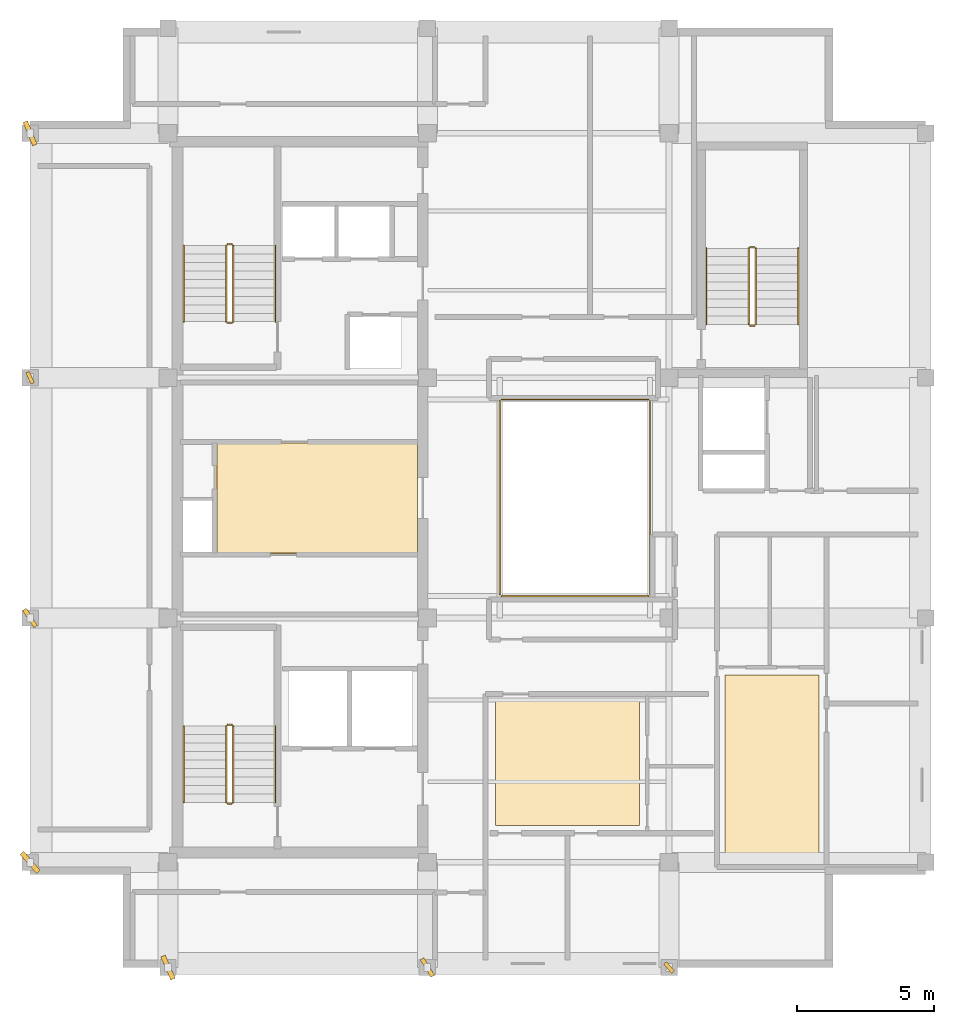
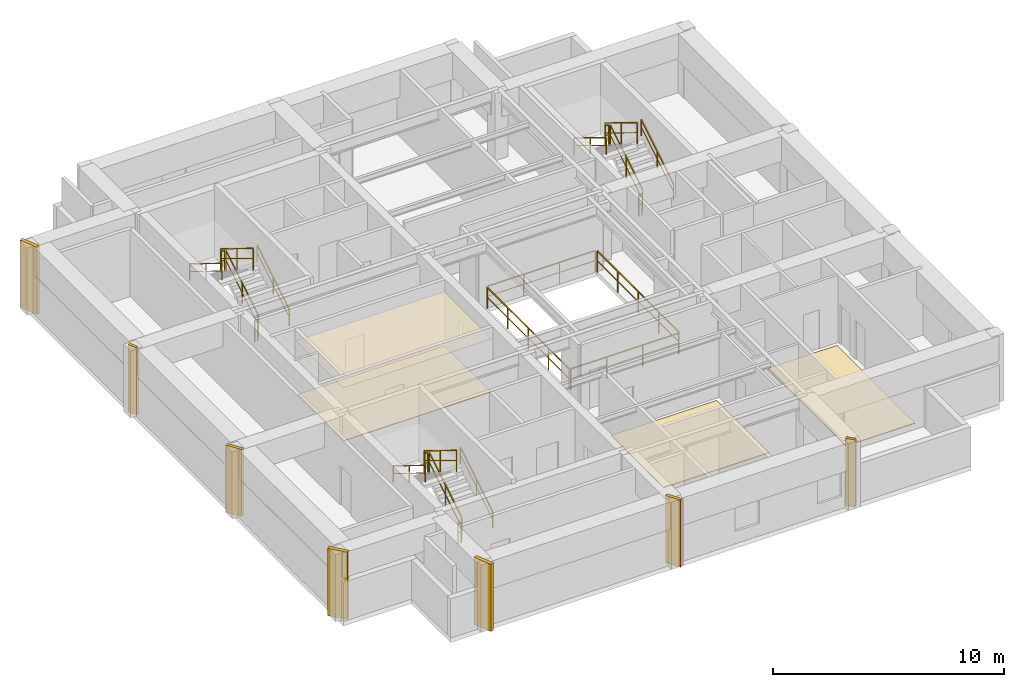
# One storey, part 6 of 6: 22 railings, 7 shading devices, 4 coverings.
"""IFC4 building model written with IfcOpenShell, lengths in metres."""

from ifc_helpers import new_model, si_unit, direction, frame, origin, origin_2d, place, context, subcontext, project, spatial, polyline, rectangle, outline, extrude, material, layer, layer_set, type_object, element, save


model = new_model("IFC4")

# Units and contexts
model_context = context("Model", 3, precision=1e-05, world=origin(), true_north=direction((0.0, 1.0)))
body_context = subcontext(model_context, "Body", "Model", "MODEL_VIEW")
ifc_project = project(units=[si_unit("LENGTHUNIT", "METRE"), si_unit("AREAUNIT", "SQUARE_METRE"), si_unit("VOLUMEUNIT", "CUBIC_METRE"), si_unit("PLANEANGLEUNIT", "RADIAN"), si_unit("MASSUNIT", "GRAM", prefix="KILO")], contexts=[model_context])

# Site, building, storey
site_placement = place(None, origin())
site = spatial("IfcSite", under=ifc_project, at=site_placement, CompositionType="ELEMENT")
building_placement = place(site_placement, origin())
building = spatial("IfcBuilding", under=site, at=building_placement, Name="Kundavana Baori Tower", CompositionType="ELEMENT")
storey_placement = place(building_placement, frame((0.0, 0.0, 339.10009765625)))
storey = spatial("IfcBuildingStorey", under=building, at=storey_placement, Name="L84", CompositionType="ELEMENT", Elevation=339.10009765625)

# Coverings
ifc_material_1 = material(Name="Honed Kota Stone and Terrazzo Flooring", Category="masonry")
ifc_layer_1 = layer(ifc_material_1, 0.0400390625, Name="COV-FLR-TERR-40")
ifc_layer_set_1 = layer_set([ifc_layer_1], Name="Honed Kota Stone and Terrazzo Flooring")
covering_type_1 = type_object("IfcCoveringType", Name="COV-FLR-TERR-40", PredefinedType="FLOORING", material=ifc_layer_set_1)
covering_1_placement = place(storey_placement, origin())
element("IfcCovering", 1, at=covering_1_placement, inside=storey, type_object=covering_type_1, Name="L84 Room Finished Stone Flooring 2", PredefinedType="FLOORING", context=body_context, shape_type="SweptSolid", body=[
    extrude(outline(polyline([(35.840087890625, 15.360107421875), (39.2900390625, 15.360107421875), (39.2900390625, 22.1201171875), (35.840087890625, 22.1201171875), (35.840087890625, 15.360107421875)])), origin(), (0.0, 0.0, 1.0), 0.039794921875),
])
ifc_material_2 = material(Name="Perforated Acoustic Mineral Fibre Ceiling Board")
ifc_layer_2 = layer(ifc_material_2, 0.02490234375, Name="COV-INT-CEIL")
ifc_layer_set_2 = layer_set([ifc_layer_2], Name="Perforated Acoustic Mineral Fibre Ceiling Board")
covering_type_2 = type_object("IfcCoveringType", Name="COV-INT-CEIL", PredefinedType="CEILING", material=ifc_layer_set_2)
covering_2_placement = place(storey_placement, frame((0.0, 0.0, 2.849853515625)))
element("IfcCovering", 2, at=covering_2_placement, inside=storey, type_object=covering_type_2, Name="L84 Core Lift Lobby Acoustic Ceiling", PredefinedType="CEILING", context=body_context, shape_type="SweptSolid", body=[
    extrude(outline(polyline([(17.159912109375, 26.52001953125), (24.580078125, 26.52001953125), (24.580078125, 30.639892578125), (17.159912109375, 30.639892578125), (17.159912109375, 26.52001953125)])), origin(), (0.0, 0.0, 1.0), 0.025146484375),
])
ifc_material_3 = material(Name="Honed Kota Stone and Terrazzo Flooring", Category="masonry")
ifc_layer_3 = layer(ifc_material_3, 0.030029296875, Name="COV-INT-FLR")
ifc_layer_set_3 = layer_set([ifc_layer_3], Name="Honed Kota Stone and Terrazzo Flooring")
covering_type_3 = type_object("IfcCoveringType", Name="COV-INT-FLR", PredefinedType="FLOORING", material=ifc_layer_set_3)
covering_3_placement = place(storey_placement, origin())
element("IfcCovering", 3, at=covering_3_placement, inside=storey, type_object=covering_type_3, Name="L84 Room Finished Stone Flooring 1", PredefinedType="FLOORING", context=body_context, shape_type="SweptSolid", body=[
    extrude(outline(polyline([(27.43994140625, 16.60009765625), (32.719970703125, 16.60009765625), (32.719970703125, 21.139892578125), (27.43994140625, 21.139892578125), (27.43994140625, 16.60009765625)])), origin(), (0.0, 0.0, 1.0), 0.02978515625),
])
covering_4_placement = place(storey_placement, origin())
element("IfcCovering", 4, at=covering_4_placement, inside=storey, type_object=covering_type_3, Name="L84 Core Lift Lobby Kota Stone Flooring", PredefinedType="FLOORING", context=body_context, shape_type="SweptSolid", body=[
    extrude(outline(polyline([(17.25, 26.580078125), (24.580078125, 26.580078125), (24.580078125, 30.60009765625), (17.25, 30.60009765625), (17.25, 26.580078125)])), origin(), (0.0, 0.0, 1.0), 0.02978515625),
])

# Railings
ifc_material_4 = material(Name="Architectural Patinated Bronze Metalwork")
railing_type_1 = type_object("IfcRailingType", Name="RL-GRD-1150", PredefinedType="GUARDRAIL", material=ifc_material_4)
railing_1_placement = place(storey_placement, frame((17.840087890625, 17.449951171875, 0.18994140625)))
element("IfcRailing", 5, at=railing_1_placement, inside=storey, type_object=railing_type_1, Name="L84 ST1 stair guard 1", PredefinedType="GUARDRAIL", context=body_context, shape_type="SweptSolid", body=[
    extrude(rectangle(XDim=0.048095703125, YDim=0.048095703125, at=origin_2d()), frame((0.0, 0.0, 1.1259765625), z_axis=(0.0, 0.852609830418, 0.522548061975), x_axis=(-1.0, 0.0, 0.0)), (0.0, 0.0, 1.0), 3.2724609375),
    extrude(rectangle(XDim=0.03125, YDim=0.03125, at=origin_2d()), frame((0.0, 0.0, 0.597900390625), z_axis=(0.0, 0.852609830418, 0.522548061975), x_axis=(-1.0, 0.0, 0.0)), (0.0, 0.0, 1.0), 3.2724609375),
    extrude(rectangle(XDim=0.0419921875, YDim=0.0419921875, at=origin_2d()), origin(), (0.0, 0.0, 1.0), 1.101806640625),
    extrude(rectangle(XDim=0.0419921875, YDim=0.0419921875, at=origin_2d()), frame((0.0, 1.39501953125, 0.85498046875)), (0.0, 0.0, 1.0), 1.101806640625),
    extrude(rectangle(XDim=0.0419921875, YDim=0.0419921875, at=origin_2d()), frame((0.0, 2.7900390625, 1.7099609375)), (0.0, 0.0, 1.0), 1.101806640625),
])
railing_2_placement = place(storey_placement, frame((17.7900390625, 20.2900390625, 1.89990234375)))
element("IfcRailing", 6, at=railing_2_placement, inside=storey, type_object=railing_type_1, Name="L84 ST1 stair guard 2", PredefinedType="GUARDRAIL", context=body_context, shape_type="SweptSolid", body=[
    extrude(rectangle(XDim=0.048095703125, YDim=0.048095703125, at=origin_2d()), frame((0.0, 0.0, 1.1259765625), z_axis=(-1.0, 0.0, 0.0), x_axis=(0.0, -1.0, 0.0)), (0.0, 0.0, 1.0), 0.16015625),
    extrude(rectangle(XDim=0.03125, YDim=0.03125, at=origin_2d()), frame((0.0, 0.0, 0.597900390625), z_axis=(-1.0, 0.0, 0.0), x_axis=(0.0, -1.0, 0.0)), (0.0, 0.0, 1.0), 0.16015625),
    extrude(rectangle(XDim=0.0419921875, YDim=0.0419921875, at=origin_2d()), origin(), (0.0, 0.0, 1.0), 1.101806640625),
    extrude(rectangle(XDim=0.0419921875, YDim=0.0419921875, at=origin_2d()), frame((-0.16015625, 0.0, 0.0)), (0.0, 0.0, 1.0), 1.101806640625),
])
railing_3_placement = place(storey_placement, frame((17.580078125, 20.239990234375, 2.08984375)))
element("IfcRailing", 7, at=railing_3_placement, inside=storey, type_object=railing_type_1, Name="L84 ST1 stair guard 3", PredefinedType="GUARDRAIL", context=body_context, shape_type="SweptSolid", body=[
    extrude(rectangle(XDim=0.048095703125, YDim=0.048095703125, at=origin_2d()), frame((0.0, 0.0, 1.1259765625), z_axis=(0.0, -0.852609830418, 0.522548061975), x_axis=(1.0, 0.0, 0.0)), (0.0, 0.0, 1.0), 3.2724609375),
    extrude(rectangle(XDim=0.03125, YDim=0.03125, at=origin_2d()), frame((0.0, 0.0, 0.597900390625), z_axis=(0.0, -0.852609830418, 0.522548061975), x_axis=(1.0, 0.0, 0.0)), (0.0, 0.0, 1.0), 3.2724609375),
    extrude(rectangle(XDim=0.0419921875, YDim=0.0419921875, at=origin_2d()), origin(), (0.0, 0.0, 1.0), 1.101806640625),
    extrude(rectangle(XDim=0.0419921875, YDim=0.0419921875, at=origin_2d()), frame((0.0, -1.39501953125, 0.85498046875)), (0.0, 0.0, 1.0), 1.101806640625),
    extrude(rectangle(XDim=0.0419921875, YDim=0.0419921875, at=origin_2d()), frame((0.0, -2.7900390625, 1.7099609375)), (0.0, 0.0, 1.0), 1.101806640625),
])
railing_4_placement = place(storey_placement, frame((17.7900390625, 17.39990234375, 0.0)))
element("IfcRailing", 8, at=railing_4_placement, inside=storey, type_object=railing_type_1, Name="L84 ST1 stair guard 4", PredefinedType="GUARDRAIL", context=body_context, shape_type="SweptSolid", body=[
    extrude(rectangle(XDim=0.048095703125, YDim=0.048095703125, at=origin_2d()), frame((0.0, 0.0, 1.1259765625), z_axis=(-1.0, 0.0, 0.0), x_axis=(0.0, -1.0, 0.0)), (0.0, 0.0, 1.0), 0.16015625),
    extrude(rectangle(XDim=0.03125, YDim=0.03125, at=origin_2d()), frame((0.0, 0.0, 0.597900390625), z_axis=(-1.0, 0.0, 0.0), x_axis=(0.0, -1.0, 0.0)), (0.0, 0.0, 1.0), 0.16015625),
    extrude(rectangle(XDim=0.0419921875, YDim=0.0419921875, at=origin_2d()), origin(), (0.0, 0.0, 1.0), 1.101806640625),
    extrude(rectangle(XDim=0.0419921875, YDim=0.0419921875, at=origin_2d()), frame((-0.16015625, 0.0, 0.0)), (0.0, 0.0, 1.0), 1.101806640625),
])
railing_5_placement = place(storey_placement, frame((17.840087890625, 35.050048828125, 0.18994140625)))
element("IfcRailing", 9, at=railing_5_placement, inside=storey, type_object=railing_type_1, Name="L84 ST2 stair guard 1", PredefinedType="GUARDRAIL", context=body_context, shape_type="SweptSolid", body=[
    extrude(rectangle(XDim=0.048095703125, YDim=0.048095703125, at=origin_2d()), frame((0.0, 0.0, 1.1259765625), z_axis=(0.0, 0.852609830418, 0.522548061975), x_axis=(-1.0, 0.0, 0.0)), (0.0, 0.0, 1.0), 3.2724609375),
    extrude(rectangle(XDim=0.03125, YDim=0.03125, at=origin_2d()), frame((0.0, 0.0, 0.597900390625), z_axis=(0.0, 0.852609830418, 0.522548061975), x_axis=(-1.0, 0.0, 0.0)), (0.0, 0.0, 1.0), 3.2724609375),
    extrude(rectangle(XDim=0.0419921875, YDim=0.0419921875, at=origin_2d()), origin(), (0.0, 0.0, 1.0), 1.101806640625),
    extrude(rectangle(XDim=0.0419921875, YDim=0.0419921875, at=origin_2d()), frame((0.0, 1.39501953125, 0.85498046875)), (0.0, 0.0, 1.0), 1.101806640625),
    extrude(rectangle(XDim=0.0419921875, YDim=0.0419921875, at=origin_2d()), frame((0.0, 2.7900390625, 1.7099609375)), (0.0, 0.0, 1.0), 1.101806640625),
])
railing_6_placement = place(storey_placement, frame((17.7900390625, 37.889892578125, 1.89990234375)))
element("IfcRailing", 10, at=railing_6_placement, inside=storey, type_object=railing_type_1, Name="L84 ST2 stair guard 2", PredefinedType="GUARDRAIL", context=body_context, shape_type="SweptSolid", body=[
    extrude(rectangle(XDim=0.048095703125, YDim=0.048095703125, at=origin_2d()), frame((0.0, 0.0, 1.1259765625), z_axis=(-1.0, 0.0, 0.0), x_axis=(0.0, -1.0, 0.0)), (0.0, 0.0, 1.0), 0.16015625),
    extrude(rectangle(XDim=0.03125, YDim=0.03125, at=origin_2d()), frame((0.0, 0.0, 0.597900390625), z_axis=(-1.0, 0.0, 0.0), x_axis=(0.0, -1.0, 0.0)), (0.0, 0.0, 1.0), 0.16015625),
    extrude(rectangle(XDim=0.0419921875, YDim=0.0419921875, at=origin_2d()), origin(), (0.0, 0.0, 1.0), 1.101806640625),
    extrude(rectangle(XDim=0.0419921875, YDim=0.0419921875, at=origin_2d()), frame((-0.16015625, 0.0, 0.0)), (0.0, 0.0, 1.0), 1.101806640625),
])
railing_7_placement = place(storey_placement, frame((17.580078125, 37.840087890625, 2.08984375)))
element("IfcRailing", 11, at=railing_7_placement, inside=storey, type_object=railing_type_1, Name="L84 ST2 stair guard 3", PredefinedType="GUARDRAIL", context=body_context, shape_type="SweptSolid", body=[
    extrude(rectangle(XDim=0.048095703125, YDim=0.048095703125, at=origin_2d()), frame((0.0, 0.0, 1.1259765625), z_axis=(0.0, -0.852609830418, 0.522548061975), x_axis=(1.0, 0.0, 0.0)), (0.0, 0.0, 1.0), 3.2724609375),
    extrude(rectangle(XDim=0.03125, YDim=0.03125, at=origin_2d()), frame((0.0, 0.0, 0.597900390625), z_axis=(0.0, -0.852609830418, 0.522548061975), x_axis=(1.0, 0.0, 0.0)), (0.0, 0.0, 1.0), 3.2724609375),
    extrude(rectangle(XDim=0.0419921875, YDim=0.0419921875, at=origin_2d()), origin(), (0.0, 0.0, 1.0), 1.101806640625),
    extrude(rectangle(XDim=0.0419921875, YDim=0.0419921875, at=origin_2d()), frame((0.0, -1.39501953125, 0.85498046875)), (0.0, 0.0, 1.0), 1.101806640625),
    extrude(rectangle(XDim=0.0419921875, YDim=0.0419921875, at=origin_2d()), frame((0.0, -2.7900390625, 1.7099609375)), (0.0, 0.0, 1.0), 1.101806640625),
])
railing_8_placement = place(storey_placement, frame((17.7900390625, 35.0, 0.0)))
element("IfcRailing", 12, at=railing_8_placement, inside=storey, type_object=railing_type_1, Name="L84 ST2 stair guard 4", PredefinedType="GUARDRAIL", context=body_context, shape_type="SweptSolid", body=[
    extrude(rectangle(XDim=0.048095703125, YDim=0.048095703125, at=origin_2d()), frame((0.0, 0.0, 1.1259765625), z_axis=(-1.0, 0.0, 0.0), x_axis=(0.0, -1.0, 0.0)), (0.0, 0.0, 1.0), 0.16015625),
    extrude(rectangle(XDim=0.03125, YDim=0.03125, at=origin_2d()), frame((0.0, 0.0, 0.597900390625), z_axis=(-1.0, 0.0, 0.0), x_axis=(0.0, -1.0, 0.0)), (0.0, 0.0, 1.0), 0.16015625),
    extrude(rectangle(XDim=0.0419921875, YDim=0.0419921875, at=origin_2d()), origin(), (0.0, 0.0, 1.0), 1.101806640625),
    extrude(rectangle(XDim=0.0419921875, YDim=0.0419921875, at=origin_2d()), frame((-0.16015625, 0.0, 0.0)), (0.0, 0.0, 1.0), 1.101806640625),
])
railing_9_placement = place(storey_placement, frame((36.97998046875, 34.949951171875, 0.18994140625)))
element("IfcRailing", 13, at=railing_9_placement, inside=storey, type_object=railing_type_1, Name="L84 ST3 stair guard 1", PredefinedType="GUARDRAIL", context=body_context, shape_type="SweptSolid", body=[
    extrude(rectangle(XDim=0.048095703125, YDim=0.048095703125, at=origin_2d()), frame((0.0, 0.0, 1.1259765625), z_axis=(0.0, 0.852609830418, 0.522548061975), x_axis=(-1.0, 0.0, 0.0)), (0.0, 0.0, 1.0), 3.2724609375),
    extrude(rectangle(XDim=0.03125, YDim=0.03125, at=origin_2d()), frame((0.0, 0.0, 0.597900390625), z_axis=(0.0, 0.852609830418, 0.522548061975), x_axis=(-1.0, 0.0, 0.0)), (0.0, 0.0, 1.0), 3.2724609375),
    extrude(rectangle(XDim=0.0419921875, YDim=0.0419921875, at=origin_2d()), origin(), (0.0, 0.0, 1.0), 1.101806640625),
    extrude(rectangle(XDim=0.0419921875, YDim=0.0419921875, at=origin_2d()), frame((0.0, 1.39501953125, 0.85498046875)), (0.0, 0.0, 1.0), 1.101806640625),
    extrude(rectangle(XDim=0.0419921875, YDim=0.0419921875, at=origin_2d()), frame((0.0, 2.7900390625, 1.7099609375)), (0.0, 0.0, 1.0), 1.101806640625),
])
railing_10_placement = place(storey_placement, frame((36.929931640625, 37.7900390625, 1.89990234375)))
element("IfcRailing", 14, at=railing_10_placement, inside=storey, type_object=railing_type_1, Name="L84 ST3 stair guard 2", PredefinedType="GUARDRAIL", context=body_context, shape_type="SweptSolid", body=[
    extrude(rectangle(XDim=0.048095703125, YDim=0.048095703125, at=origin_2d()), frame((0.0, 0.0, 1.1259765625), z_axis=(-1.0, 0.0, 0.0), x_axis=(0.0, -1.0, 0.0)), (0.0, 0.0, 1.0), 0.159912109375),
    extrude(rectangle(XDim=0.03125, YDim=0.03125, at=origin_2d()), frame((0.0, 0.0, 0.597900390625), z_axis=(-1.0, 0.0, 0.0), x_axis=(0.0, -1.0, 0.0)), (0.0, 0.0, 1.0), 0.159912109375),
    extrude(rectangle(XDim=0.0419921875, YDim=0.0419921875, at=origin_2d()), origin(), (0.0, 0.0, 1.0), 1.101806640625),
    extrude(rectangle(XDim=0.0419921875, YDim=0.0419921875, at=origin_2d()), frame((-0.159912109375, 0.0, 0.0)), (0.0, 0.0, 1.0), 1.101806640625),
])
railing_11_placement = place(storey_placement, frame((36.719970703125, 37.739990234375, 2.08984375)))
element("IfcRailing", 15, at=railing_11_placement, inside=storey, type_object=railing_type_1, Name="L84 ST3 stair guard 3", PredefinedType="GUARDRAIL", context=body_context, shape_type="SweptSolid", body=[
    extrude(rectangle(XDim=0.048095703125, YDim=0.048095703125, at=origin_2d()), frame((0.0, 0.0, 1.1259765625), z_axis=(0.0, -0.852609830418, 0.522548061975), x_axis=(1.0, 0.0, 0.0)), (0.0, 0.0, 1.0), 3.2724609375),
    extrude(rectangle(XDim=0.03125, YDim=0.03125, at=origin_2d()), frame((0.0, 0.0, 0.597900390625), z_axis=(0.0, -0.852609830418, 0.522548061975), x_axis=(1.0, 0.0, 0.0)), (0.0, 0.0, 1.0), 3.2724609375),
    extrude(rectangle(XDim=0.0419921875, YDim=0.0419921875, at=origin_2d()), origin(), (0.0, 0.0, 1.0), 1.101806640625),
    extrude(rectangle(XDim=0.0419921875, YDim=0.0419921875, at=origin_2d()), frame((0.0, -1.39501953125, 0.85498046875)), (0.0, 0.0, 1.0), 1.101806640625),
    extrude(rectangle(XDim=0.0419921875, YDim=0.0419921875, at=origin_2d()), frame((0.0, -2.7900390625, 1.7099609375)), (0.0, 0.0, 1.0), 1.101806640625),
])
railing_12_placement = place(storey_placement, frame((36.929931640625, 34.89990234375, 0.0)))
element("IfcRailing", 16, at=railing_12_placement, inside=storey, type_object=railing_type_1, Name="L84 ST3 stair guard 4", PredefinedType="GUARDRAIL", context=body_context, shape_type="SweptSolid", body=[
    extrude(rectangle(XDim=0.048095703125, YDim=0.048095703125, at=origin_2d()), frame((0.0, 0.0, 1.1259765625), z_axis=(-1.0, 0.0, 0.0), x_axis=(0.0, -1.0, 0.0)), (0.0, 0.0, 1.0), 0.159912109375),
    extrude(rectangle(XDim=0.03125, YDim=0.03125, at=origin_2d()), frame((0.0, 0.0, 0.597900390625), z_axis=(-1.0, 0.0, 0.0), x_axis=(0.0, -1.0, 0.0)), (0.0, 0.0, 1.0), 0.159912109375),
    extrude(rectangle(XDim=0.0419921875, YDim=0.0419921875, at=origin_2d()), origin(), (0.0, 0.0, 1.0), 1.101806640625),
    extrude(rectangle(XDim=0.0419921875, YDim=0.0419921875, at=origin_2d()), frame((-0.159912109375, 0.0, 0.0)), (0.0, 0.0, 1.0), 1.101806640625),
])
railing_13_placement = place(storey_placement, frame((27.659912109375, 25.0, 0.0)))
element("IfcRailing", 17, at=railing_13_placement, inside=storey, type_object=railing_type_1, Name="L84 Atrium Void Perimeter Guardrail S", PredefinedType="GUARDRAIL", context=body_context, shape_type="SweptSolid", body=[
    extrude(rectangle(XDim=0.048095703125, YDim=0.048095703125, at=origin_2d()), frame((0.0, 0.0, 1.1259765625), z_axis=(1.0, 0.0, 0.0), x_axis=(0.0, 1.0, 0.0)), (0.0, 0.0, 1.0), 5.380126953125),
    extrude(rectangle(XDim=0.03125, YDim=0.03125, at=origin_2d()), frame((0.0, 0.0, 0.597900390625), z_axis=(1.0, 0.0, 0.0), x_axis=(0.0, 1.0, 0.0)), (0.0, 0.0, 1.0), 5.380126953125),
    extrude(rectangle(XDim=0.0419921875, YDim=0.0419921875, at=origin_2d()), origin(), (0.0, 0.0, 1.0), 1.101806640625),
    extrude(rectangle(XDim=0.0419921875, YDim=0.0419921875, at=origin_2d()), frame((1.79345703125, 0.0, 0.0)), (0.0, 0.0, 1.0), 1.101806640625),
    extrude(rectangle(XDim=0.0419921875, YDim=0.0419921875, at=origin_2d()), frame((3.586669921875, 0.0, 0.0)), (0.0, 0.0, 1.0), 1.101806640625),
    extrude(rectangle(XDim=0.0419921875, YDim=0.0419921875, at=origin_2d()), frame((5.380126953125, 0.0, 0.0)), (0.0, 0.0, 1.0), 1.101806640625),
])
railing_14_placement = place(storey_placement, frame((33.10009765625, 25.06005859375, 0.0)))
element("IfcRailing", 18, at=railing_14_placement, inside=storey, type_object=railing_type_1, Name="L84 Atrium Void Perimeter Guardrail E", PredefinedType="GUARDRAIL", context=body_context, shape_type="SweptSolid", body=[
    extrude(rectangle(XDim=0.048095703125, YDim=0.048095703125, at=origin_2d()), frame((0.0, 0.0, 1.1259765625), z_axis=(0.0, 1.0, 0.0), x_axis=(-1.0, 0.0, 0.0)), (0.0, 0.0, 1.0), 7.079833984375),
    extrude(rectangle(XDim=0.03125, YDim=0.03125, at=origin_2d()), frame((0.0, 0.0, 0.597900390625), z_axis=(0.0, 1.0, 0.0), x_axis=(-1.0, 0.0, 0.0)), (0.0, 0.0, 1.0), 7.079833984375),
    extrude(rectangle(XDim=0.0419921875, YDim=0.0419921875, at=origin_2d()), origin(), (0.0, 0.0, 1.0), 1.101806640625),
    extrude(rectangle(XDim=0.0419921875, YDim=0.0419921875, at=origin_2d()), frame((0.0, 1.77001953125, 0.0)), (0.0, 0.0, 1.0), 1.101806640625),
    extrude(rectangle(XDim=0.0419921875, YDim=0.0419921875, at=origin_2d()), frame((0.0, 3.5400390625, 0.0)), (0.0, 0.0, 1.0), 1.101806640625),
    extrude(rectangle(XDim=0.0419921875, YDim=0.0419921875, at=origin_2d()), frame((0.0, 5.309814453125, 0.0)), (0.0, 0.0, 1.0), 1.101806640625),
    extrude(rectangle(XDim=0.0419921875, YDim=0.0419921875, at=origin_2d()), frame((0.0, 7.079833984375, 0.0)), (0.0, 0.0, 1.0), 1.101806640625),
])
railing_15_placement = place(storey_placement, frame((33.0400390625, 32.199951171875, 0.0)))
element("IfcRailing", 19, at=railing_15_placement, inside=storey, type_object=railing_type_1, Name="L84 Atrium Void Perimeter Guardrail N", PredefinedType="GUARDRAIL", context=body_context, shape_type="SweptSolid", body=[
    extrude(rectangle(XDim=0.048095703125, YDim=0.048095703125, at=origin_2d()), frame((0.0, 0.0, 1.1259765625), z_axis=(-1.0, 0.0, 0.0), x_axis=(0.0, -1.0, 0.0)), (0.0, 0.0, 1.0), 5.380126953125),
    extrude(rectangle(XDim=0.03125, YDim=0.03125, at=origin_2d()), frame((0.0, 0.0, 0.597900390625), z_axis=(-1.0, 0.0, 0.0), x_axis=(0.0, -1.0, 0.0)), (0.0, 0.0, 1.0), 5.380126953125),
    extrude(rectangle(XDim=0.0419921875, YDim=0.0419921875, at=origin_2d()), origin(), (0.0, 0.0, 1.0), 1.101806640625),
    extrude(rectangle(XDim=0.0419921875, YDim=0.0419921875, at=origin_2d()), frame((-1.79345703125, 0.0, 0.0)), (0.0, 0.0, 1.0), 1.101806640625),
    extrude(rectangle(XDim=0.0419921875, YDim=0.0419921875, at=origin_2d()), frame((-3.586669921875, 0.0, 0.0)), (0.0, 0.0, 1.0), 1.101806640625),
    extrude(rectangle(XDim=0.0419921875, YDim=0.0419921875, at=origin_2d()), frame((-5.380126953125, 0.0, 0.0)), (0.0, 0.0, 1.0), 1.101806640625),
])
railing_16_placement = place(storey_placement, frame((27.60009765625, 32.139892578125, 0.0)))
element("IfcRailing", 20, at=railing_16_placement, inside=storey, type_object=railing_type_1, Name="L84 Atrium Void Perimeter Guardrail W", PredefinedType="GUARDRAIL", context=body_context, shape_type="SweptSolid", body=[
    extrude(rectangle(XDim=0.048095703125, YDim=0.048095703125, at=origin_2d()), frame((0.0, 0.0, 1.1259765625), z_axis=(0.0, -1.0, 0.0), x_axis=(1.0, 0.0, 0.0)), (0.0, 0.0, 1.0), 7.079833984375),
    extrude(rectangle(XDim=0.03125, YDim=0.03125, at=origin_2d()), frame((0.0, 0.0, 0.597900390625), z_axis=(0.0, -1.0, 0.0), x_axis=(1.0, 0.0, 0.0)), (0.0, 0.0, 1.0), 7.079833984375),
    extrude(rectangle(XDim=0.0419921875, YDim=0.0419921875, at=origin_2d()), origin(), (0.0, 0.0, 1.0), 1.101806640625),
    extrude(rectangle(XDim=0.0419921875, YDim=0.0419921875, at=origin_2d()), frame((0.0, -1.77001953125, 0.0)), (0.0, 0.0, 1.0), 1.101806640625),
    extrude(rectangle(XDim=0.0419921875, YDim=0.0419921875, at=origin_2d()), frame((0.0, -3.5400390625, 0.0)), (0.0, 0.0, 1.0), 1.101806640625),
    extrude(rectangle(XDim=0.0419921875, YDim=0.0419921875, at=origin_2d()), frame((0.0, -5.309814453125, 0.0)), (0.0, 0.0, 1.0), 1.101806640625),
    extrude(rectangle(XDim=0.0419921875, YDim=0.0419921875, at=origin_2d()), frame((0.0, -7.079833984375, 0.0)), (0.0, 0.0, 1.0), 1.101806640625),
])
ifc_material_5 = material(Name="Architectural Patinated Bronze Metalwork")
railing_type_2 = type_object("IfcRailingType", Name="RL-HND-920", PredefinedType="HANDRAIL", material=ifc_material_5)
railing_17_placement = place(storey_placement, frame((19.389892578125, 17.449951171875, 0.18994140625)))
element("IfcRailing", 21, at=railing_17_placement, inside=storey, type_object=railing_type_2, Name="L84 ST1 stair handrail 1", PredefinedType="HANDRAIL", context=body_context, shape_type="SweptSolid", body=[
    extrude(rectangle(XDim=0.048095703125, YDim=0.048095703125, at=origin_2d()), frame((0.0, 0.0, 0.8759765625), z_axis=(0.0, 0.852609830418, 0.522548061975), x_axis=(-1.0, 0.0, 0.0)), (0.0, 0.0, 1.0), 3.2724609375),
    extrude(rectangle(XDim=0.03125, YDim=0.03125, at=origin_2d()), frame((0.0, 0.0, 0.468017578125), z_axis=(0.0, 0.852609830418, 0.522548061975), x_axis=(-1.0, 0.0, 0.0)), (0.0, 0.0, 1.0), 3.2724609375),
    extrude(rectangle(XDim=0.0419921875, YDim=0.0419921875, at=origin_2d()), origin(), (0.0, 0.0, 1.0), 0.851806640625),
    extrude(rectangle(XDim=0.0419921875, YDim=0.0419921875, at=origin_2d()), frame((0.0, 1.39501953125, 0.85498046875)), (0.0, 0.0, 1.0), 0.851806640625),
    extrude(rectangle(XDim=0.0419921875, YDim=0.0419921875, at=origin_2d()), frame((0.0, 2.7900390625, 1.7099609375)), (0.0, 0.0, 1.0), 0.851806640625),
])
railing_18_placement = place(storey_placement, frame((16.030029296875, 20.239990234375, 2.08984375)))
element("IfcRailing", 22, at=railing_18_placement, inside=storey, type_object=railing_type_2, Name="L84 ST1 stair handrail 2", PredefinedType="HANDRAIL", context=body_context, shape_type="SweptSolid", body=[
    extrude(rectangle(XDim=0.048095703125, YDim=0.048095703125, at=origin_2d()), frame((0.0, 0.0, 0.8759765625), z_axis=(0.0, -0.852609830418, 0.522548061975), x_axis=(1.0, 0.0, 0.0)), (0.0, 0.0, 1.0), 3.2724609375),
    extrude(rectangle(XDim=0.03125, YDim=0.03125, at=origin_2d()), frame((0.0, 0.0, 0.468017578125), z_axis=(0.0, -0.852609830418, 0.522548061975), x_axis=(1.0, 0.0, 0.0)), (0.0, 0.0, 1.0), 3.2724609375),
    extrude(rectangle(XDim=0.0419921875, YDim=0.0419921875, at=origin_2d()), origin(), (0.0, 0.0, 1.0), 0.851806640625),
    extrude(rectangle(XDim=0.0419921875, YDim=0.0419921875, at=origin_2d()), frame((0.0, -1.39501953125, 0.85498046875)), (0.0, 0.0, 1.0), 0.851806640625),
    extrude(rectangle(XDim=0.0419921875, YDim=0.0419921875, at=origin_2d()), frame((0.0, -2.7900390625, 1.7099609375)), (0.0, 0.0, 1.0), 0.851806640625),
])
railing_19_placement = place(storey_placement, frame((19.389892578125, 35.050048828125, 0.18994140625)))
element("IfcRailing", 23, at=railing_19_placement, inside=storey, type_object=railing_type_2, Name="L84 ST2 stair handrail 1", PredefinedType="HANDRAIL", context=body_context, shape_type="SweptSolid", body=[
    extrude(rectangle(XDim=0.048095703125, YDim=0.048095703125, at=origin_2d()), frame((0.0, 0.0, 0.8759765625), z_axis=(0.0, 0.852609830418, 0.522548061975), x_axis=(-1.0, 0.0, 0.0)), (0.0, 0.0, 1.0), 3.2724609375),
    extrude(rectangle(XDim=0.03125, YDim=0.03125, at=origin_2d()), frame((0.0, 0.0, 0.468017578125), z_axis=(0.0, 0.852609830418, 0.522548061975), x_axis=(-1.0, 0.0, 0.0)), (0.0, 0.0, 1.0), 3.2724609375),
    extrude(rectangle(XDim=0.0419921875, YDim=0.0419921875, at=origin_2d()), origin(), (0.0, 0.0, 1.0), 0.851806640625),
    extrude(rectangle(XDim=0.0419921875, YDim=0.0419921875, at=origin_2d()), frame((0.0, 1.39501953125, 0.85498046875)), (0.0, 0.0, 1.0), 0.851806640625),
    extrude(rectangle(XDim=0.0419921875, YDim=0.0419921875, at=origin_2d()), frame((0.0, 2.7900390625, 1.7099609375)), (0.0, 0.0, 1.0), 0.851806640625),
])
railing_20_placement = place(storey_placement, frame((16.030029296875, 37.840087890625, 2.08984375)))
element("IfcRailing", 24, at=railing_20_placement, inside=storey, type_object=railing_type_2, Name="L84 ST2 stair handrail 2", PredefinedType="HANDRAIL", context=body_context, shape_type="SweptSolid", body=[
    extrude(rectangle(XDim=0.048095703125, YDim=0.048095703125, at=origin_2d()), frame((0.0, 0.0, 0.8759765625), z_axis=(0.0, -0.852609830418, 0.522548061975), x_axis=(1.0, 0.0, 0.0)), (0.0, 0.0, 1.0), 3.2724609375),
    extrude(rectangle(XDim=0.03125, YDim=0.03125, at=origin_2d()), frame((0.0, 0.0, 0.468017578125), z_axis=(0.0, -0.852609830418, 0.522548061975), x_axis=(1.0, 0.0, 0.0)), (0.0, 0.0, 1.0), 3.2724609375),
    extrude(rectangle(XDim=0.0419921875, YDim=0.0419921875, at=origin_2d()), origin(), (0.0, 0.0, 1.0), 0.851806640625),
    extrude(rectangle(XDim=0.0419921875, YDim=0.0419921875, at=origin_2d()), frame((0.0, -1.39501953125, 0.85498046875)), (0.0, 0.0, 1.0), 0.851806640625),
    extrude(rectangle(XDim=0.0419921875, YDim=0.0419921875, at=origin_2d()), frame((0.0, -2.7900390625, 1.7099609375)), (0.0, 0.0, 1.0), 0.851806640625),
])
railing_21_placement = place(storey_placement, frame((38.530029296875, 34.949951171875, 0.18994140625)))
element("IfcRailing", 25, at=railing_21_placement, inside=storey, type_object=railing_type_2, Name="L84 ST3 stair handrail 1", PredefinedType="HANDRAIL", context=body_context, shape_type="SweptSolid", body=[
    extrude(rectangle(XDim=0.048095703125, YDim=0.048095703125, at=origin_2d()), frame((0.0, 0.0, 0.8759765625), z_axis=(0.0, 0.852609830418, 0.522548061975), x_axis=(-1.0, 0.0, 0.0)), (0.0, 0.0, 1.0), 3.2724609375),
    extrude(rectangle(XDim=0.03125, YDim=0.03125, at=origin_2d()), frame((0.0, 0.0, 0.468017578125), z_axis=(0.0, 0.852609830418, 0.522548061975), x_axis=(-1.0, 0.0, 0.0)), (0.0, 0.0, 1.0), 3.2724609375),
    extrude(rectangle(XDim=0.0419921875, YDim=0.0419921875, at=origin_2d()), origin(), (0.0, 0.0, 1.0), 0.851806640625),
    extrude(rectangle(XDim=0.0419921875, YDim=0.0419921875, at=origin_2d()), frame((0.0, 1.39501953125, 0.85498046875)), (0.0, 0.0, 1.0), 0.851806640625),
    extrude(rectangle(XDim=0.0419921875, YDim=0.0419921875, at=origin_2d()), frame((0.0, 2.7900390625, 1.7099609375)), (0.0, 0.0, 1.0), 0.851806640625),
])
railing_22_placement = place(storey_placement, frame((35.169921875, 37.739990234375, 2.08984375)))
element("IfcRailing", 26, at=railing_22_placement, inside=storey, type_object=railing_type_2, Name="L84 ST3 stair handrail 2", PredefinedType="HANDRAIL", context=body_context, shape_type="SweptSolid", body=[
    extrude(rectangle(XDim=0.048095703125, YDim=0.048095703125, at=origin_2d()), frame((0.0, 0.0, 0.8759765625), z_axis=(0.0, -0.852609830418, 0.522548061975), x_axis=(1.0, 0.0, 0.0)), (0.0, 0.0, 1.0), 3.2724609375),
    extrude(rectangle(XDim=0.03125, YDim=0.03125, at=origin_2d()), frame((0.0, 0.0, 0.468017578125), z_axis=(0.0, -0.852609830418, 0.522548061975), x_axis=(1.0, 0.0, 0.0)), (0.0, 0.0, 1.0), 3.2724609375),
    extrude(rectangle(XDim=0.0419921875, YDim=0.0419921875, at=origin_2d()), origin(), (0.0, 0.0, 1.0), 0.851806640625),
    extrude(rectangle(XDim=0.0419921875, YDim=0.0419921875, at=origin_2d()), frame((0.0, -1.39501953125, 0.85498046875)), (0.0, 0.0, 1.0), 0.851806640625),
    extrude(rectangle(XDim=0.0419921875, YDim=0.0419921875, at=origin_2d()), frame((0.0, -2.7900390625, 1.7099609375)), (0.0, 0.0, 1.0), 0.851806640625),
])

# Shading devices
ifc_material_6 = material(Name="Red-Buff Dholpur Sandstone Cladding on Concrete C40/50", Category="masonry")
shading_device_type_1 = type_object("IfcShadingDeviceType", Name="SHD-FIN-750", PredefinedType="JALOUSIE", material=ifc_material_6)
for number, where, z_axis, x_axis, name in (
    (27, (24.949951171875, 11.39990234375, 0.0), (0.0, 0.0, 1.0), (0.849524601357, 0.527549004064, 0.0), "L84 Sweeping Dholpur Sandstone Facade Fin 2"),
    (28, (10.39990234375, 24.199951171875, 0.0), (0.0, 0.0, 1.0), (0.833210881659, 0.552955356864, 0.0), "L84 Sweeping Dholpur Sandstone Facade Fin 5"),
):
    element("IfcShadingDevice", number, at=place(storey_placement, frame(where, z_axis=z_axis, x_axis=x_axis)), inside=storey, type_object=shading_device_type_1, Name=name, PredefinedType="JALOUSIE", context=body_context, shape_type="SweptSolid", body=[
        extrude(rectangle(XDim=0.159912109375, YDim=0.75, at=origin_2d()), origin(), (0.0, 0.0, 1.0), 3.550048828125),
    ])
ifc_material_7 = material(Name="Red-Buff Dholpur Sandstone Cladding on Concrete C40/50", Category="masonry")
shading_device_type_2 = type_object("IfcShadingDeviceType", Name="SHD-FIN-920", PredefinedType="JALOUSIE", material=ifc_material_7)
for number, where, z_axis, x_axis, name in (
    (29, (15.449951171875, 11.39990234375, 0.0), (0.0, 0.0, 1.0), (0.917060074385, 0.398749068925, 0.0), "L84 Sweeping Dholpur Sandstone Facade Fin 1"),
    (30, (10.39990234375, 15.25, 0.0), (0.0, 0.0, 1.0), (0.752874577493, 0.658164014943, 0.0), "L84 Sweeping Dholpur Sandstone Facade Fin 4"),
    (31, (10.39990234375, 41.949951171875, 0.0), (0.0, 0.0, 1.0), (0.924745434851, 0.380586232965, 0.0), "L84 Sweeping Dholpur Sandstone Facade Fin 7"),
):
    element("IfcShadingDevice", number, at=place(storey_placement, frame(where, z_axis=z_axis, x_axis=x_axis)), inside=storey, type_object=shading_device_type_2, Name=name, PredefinedType="JALOUSIE", context=body_context, shape_type="SweptSolid", body=[
        extrude(rectangle(XDim=0.179931640625, YDim=0.919921875, at=origin_2d()), origin(), (0.0, 0.0, 1.0), 3.550048828125),
    ])
ifc_material_8 = material(Name="Architectural Patinated Bronze Metalwork")
shading_device_type_3 = type_object("IfcShadingDeviceType", Name="SHD-LOUV-450", PredefinedType="SHUTTER", material=ifc_material_8)
for number, where, z_axis, x_axis, name in (
    (32, (33.800048828125, 11.39990234375, 0.0), (0.0, 0.0, 1.0), (0.76232956683, 0.647189023035, 0.0), "L84 Sweeping Dholpur Sandstone Facade Fin 3"),
    (33, (10.39990234375, 33.0, 0.0), (0.0, 0.0, 1.0), (0.909671538649, 0.415328414356, 0.0), "L84 Sweeping Dholpur Sandstone Facade Fin 6"),
):
    element("IfcShadingDevice", number, at=place(storey_placement, frame(where, z_axis=z_axis, x_axis=x_axis)), inside=storey, type_object=shading_device_type_3, Name=name, PredefinedType="SHUTTER", context=body_context, shape_type="SweptSolid", body=[
        extrude(rectangle(XDim=0.139892578125, YDim=0.449951171875, at=origin_2d()), origin(), (0.0, 0.0, 1.0), 3.550048828125),
    ])

save(model, "model.ifc")
